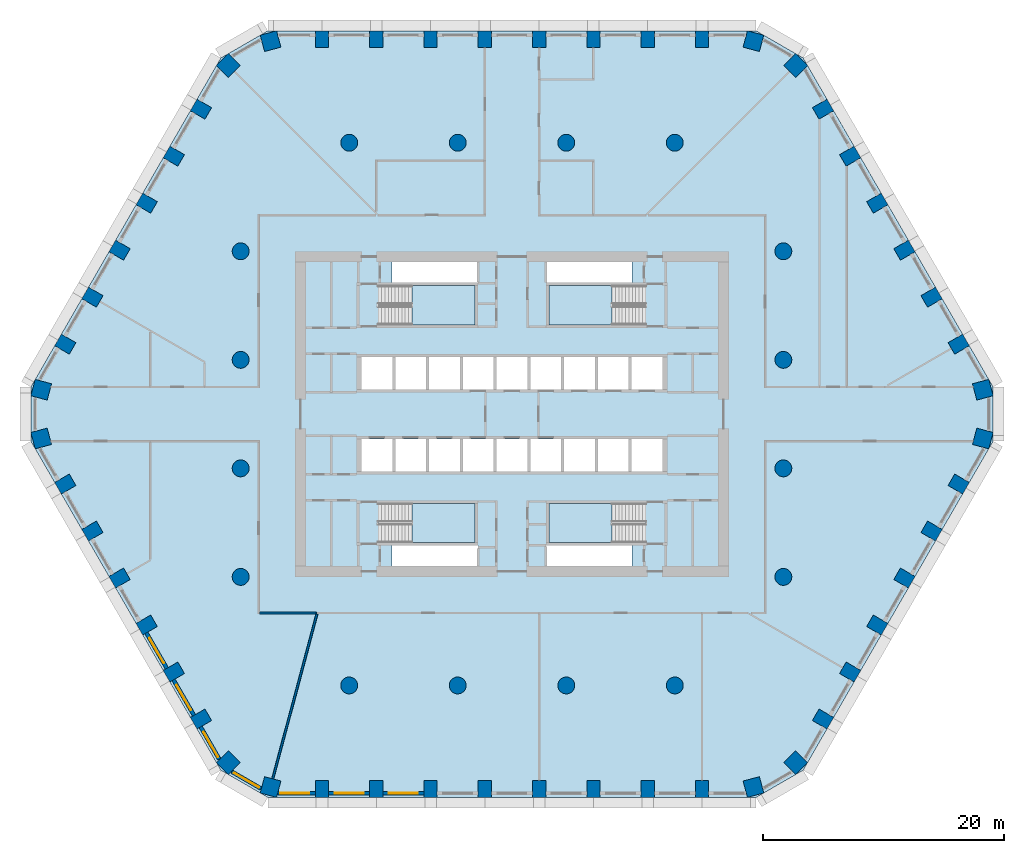
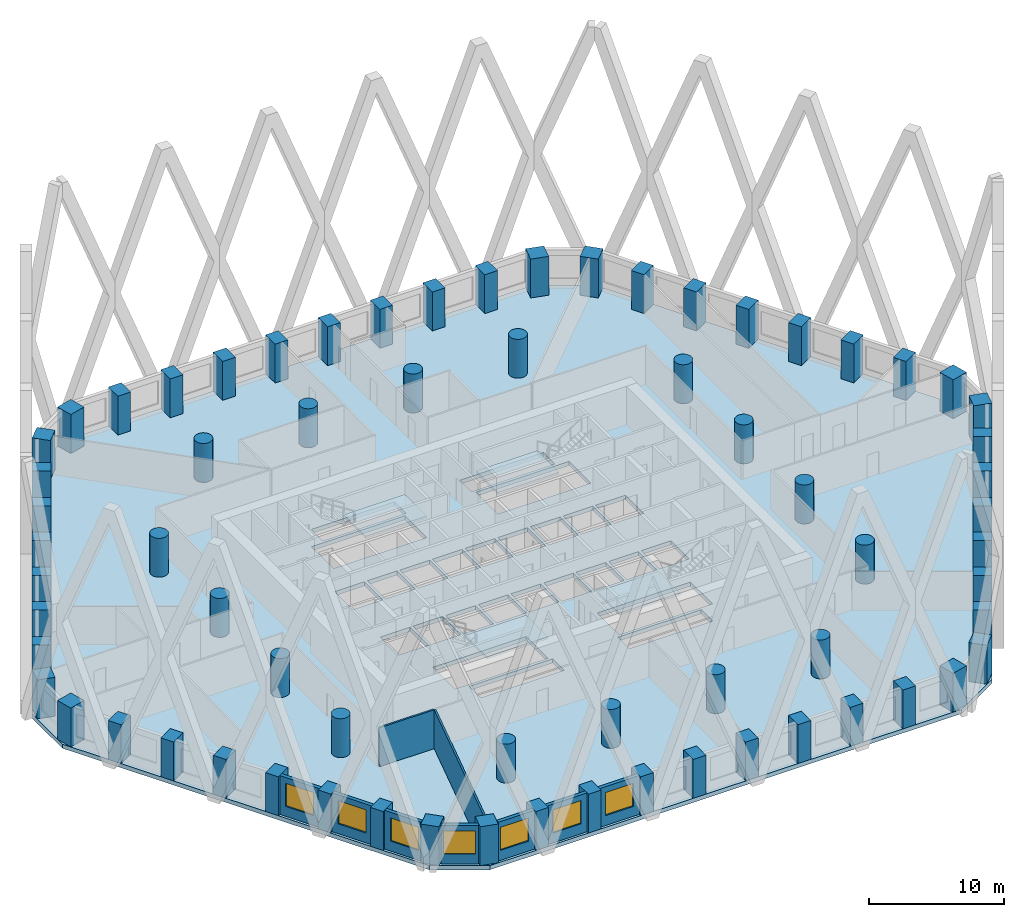
# One storey, part 1 of 18: 68 columns, 9 walls, 7 windows, 5 slabs, 7 openings, 4 elements without a shape of their own.
"""IFC4 building model written with IfcOpenShell, lengths in metres."""

from ifc_helpers import new_model, si_unit, direction, frame, frame_2d, origin, origin_2d, place, context, subcontext, project, spatial, polyline, rectangle, circle, outline, extrude, material, layer, layer_set, material_profile, profile_set, type_object, element, fill, aggregate, save


model = new_model("IFC4")

# Units and contexts
model_context = context("Model", 3, precision=1e-05, world=origin(), true_north=direction((0.0, 1.0)))
body_context = subcontext(model_context, "Body", "Model", "MODEL_VIEW")
ifc_project = project(units=[si_unit("LENGTHUNIT", "METRE"), si_unit("AREAUNIT", "SQUARE_METRE"), si_unit("VOLUMEUNIT", "CUBIC_METRE"), si_unit("PLANEANGLEUNIT", "RADIAN"), si_unit("MASSUNIT", "GRAM", prefix="KILO")], contexts=[model_context])

# Site, building, storey
site_placement = place(None, origin())
site = spatial("IfcSite", under=ifc_project, at=site_placement, CompositionType="ELEMENT")
building_placement = place(site_placement, origin())
building = spatial("IfcBuilding", under=site, at=building_placement, Name="Dhurran Vertical Campus", CompositionType="ELEMENT")
storey_placement = place(building_placement, frame((0.0, 0.0, 53.39990234375)))
storey = spatial("IfcBuildingStorey", under=building, at=storey_placement, Name="L12", CompositionType="ELEMENT", Elevation=53.39990234375)

# Columns
ifc_material_1 = material(Name="Concrete C70/85", Category="concrete")
ifc_material_profile_1 = material_profile(ifc_material_1, rectangle(XDim=1.10009765625, YDim=1.39990234375, at=origin_2d()), Name="RC 1100x1400")
ifc_profile_set_1 = profile_set([ifc_material_profile_1], Name="Concrete C70/85")
column_type_1 = type_object("IfcColumnType", Name="FR COL RC 1100x1400 C70/85", PredefinedType="COLUMN", material=ifc_profile_set_1)
for number, where, z_axis, x_axis, name in (
    (1, (-15.75, -31.079833984375, 0.0), (0.0, 0.0, 1.0), (1.0, 0.0, 0.0), "Perimeter pier PP1.01"),
    (2, (-11.25, -31.079833984375, 0.0), (0.0, 0.0, 1.0), (1.0, 0.0, 0.0), "Perimeter pier PP1.02"),
    (3, (-6.75, -31.079833984375, 0.0), (0.0, 0.0, 1.0), (1.0, 0.0, 0.0), "Perimeter pier PP1.03"),
    (4, (-2.25, -31.079833984375, 0.0), (0.0, 0.0, 1.0), (1.0, 0.0, 0.0), "Perimeter pier PP1.04"),
    (5, (2.25, -31.079833984375, 0.0), (0.0, 0.0, 1.0), (1.0, 0.0, 0.0), "Perimeter pier PP1.05"),
    (6, (6.75, -31.079833984375, 0.0), (0.0, 0.0, 1.0), (1.0, 0.0, 0.0), "Perimeter pier PP1.06"),
    (7, (11.25, -31.079833984375, 0.0), (0.0, 0.0, 1.0), (1.0, 0.0, 0.0), "Perimeter pier PP1.07"),
    (8, (15.75, -31.079833984375, 0.0), (0.0, 0.0, 1.0), (1.0, 0.0, 0.0), "Perimeter pier PP1.08"),
    (9, (25.791015625, -25.28271484375, 0.0), (0.0, 0.0, 1.0), (0.5, 0.866025403784, 0.0), "Perimeter pier PP1.11"),
    (10, (28.041015625, -21.385498046875, 0.0), (0.0, 0.0, 1.0), (0.5, 0.866025403784, 0.0), "Perimeter pier PP1.12"),
    (11, (30.291015625, -17.488525390625, 0.0), (0.0, 0.0, 1.0), (0.5, 0.866025403784, 0.0), "Perimeter pier PP1.13"),
    (12, (32.541015625, -13.59130859375, 0.0), (0.0, 0.0, 1.0), (0.5, 0.866025403784, 0.0), "Perimeter pier PP1.14"),
    (13, (34.791015625, -9.694091796875, 0.0), (0.0, 0.0, 1.0), (0.5, 0.866025403784, 0.0), "Perimeter pier PP1.15"),
    (14, (37.041015625, -5.797119140625, 0.0), (0.0, 0.0, 1.0), (0.5, 0.866025403784, 0.0), "Perimeter pier PP1.16"),
    (15, (37.041015625, 5.797119140625, 0.0), (0.0, 0.0, 1.0), (-0.5, 0.866025403784, 0.0), "Perimeter pier PP1.19"),
    (16, (34.791015625, 9.694091796875, 0.0), (0.0, 0.0, 1.0), (-0.5, 0.866025403784, 0.0), "Perimeter pier PP1.20"),
    (17, (32.541015625, 13.59130859375, 0.0), (0.0, 0.0, 1.0), (-0.5, 0.866025403784, 0.0), "Perimeter pier PP1.21"),
    (18, (30.291015625, 17.488525390625, 0.0), (0.0, 0.0, 1.0), (-0.5, 0.866025403784, 0.0), "Perimeter pier PP1.22"),
    (19, (28.041015625, 21.385498046875, 0.0), (0.0, 0.0, 1.0), (-0.5, 0.866025403784, 0.0), "Perimeter pier PP1.23"),
    (20, (25.791015625, 25.28271484375, 0.0), (0.0, 0.0, 1.0), (-0.5, 0.866025403784, 0.0), "Perimeter pier PP1.24"),
    (21, (15.75, 31.079833984375, 0.0), (0.0, 0.0, 1.0), (-1.0, 0.0, 0.0), "Perimeter pier PP1.27"),
    (22, (11.25, 31.079833984375, 0.0), (0.0, 0.0, 1.0), (-1.0, 0.0, 0.0), "Perimeter pier PP1.28"),
    (23, (6.75, 31.079833984375, 0.0), (0.0, 0.0, 1.0), (-1.0, 0.0, 0.0), "Perimeter pier PP1.29"),
    (24, (2.25, 31.079833984375, 0.0), (0.0, 0.0, 1.0), (-1.0, 0.0, 0.0), "Perimeter pier PP1.30"),
    (25, (-2.25, 31.079833984375, 0.0), (0.0, 0.0, 1.0), (-1.0, 0.0, 0.0), "Perimeter pier PP1.31"),
    (26, (-6.75, 31.079833984375, 0.0), (0.0, 0.0, 1.0), (-1.0, 0.0, 0.0), "Perimeter pier PP1.32"),
    (27, (-11.25, 31.079833984375, 0.0), (0.0, 0.0, 1.0), (-1.0, 0.0, 0.0), "Perimeter pier PP1.33"),
    (28, (-15.75, 31.079833984375, 0.0), (0.0, 0.0, 1.0), (-1.0, 0.0, 0.0), "Perimeter pier PP1.34"),
    (29, (-25.791015625, 25.28271484375, 0.0), (0.0, 0.0, 1.0), (-0.5, -0.866025403784, 0.0), "Perimeter pier PP1.37"),
    (30, (-28.041015625, 21.385498046875, 0.0), (0.0, 0.0, 1.0), (-0.5, -0.866025403784, 0.0), "Perimeter pier PP1.38"),
    (31, (-30.291015625, 17.488525390625, 0.0), (0.0, 0.0, 1.0), (-0.5, -0.866025403784, 0.0), "Perimeter pier PP1.39"),
    (32, (-32.541015625, 13.59130859375, 0.0), (0.0, 0.0, 1.0), (-0.5, -0.866025403784, 0.0), "Perimeter pier PP1.40"),
    (33, (-34.791015625, 9.694091796875, 0.0), (0.0, 0.0, 1.0), (-0.5, -0.866025403784, 0.0), "Perimeter pier PP1.41"),
    (34, (-37.041015625, 5.797119140625, 0.0), (0.0, 0.0, 1.0), (-0.5, -0.866025403784, 0.0), "Perimeter pier PP1.42"),
    (35, (-37.041015625, -5.797119140625, 0.0), (0.0, 0.0, 1.0), (0.5, -0.866025403784, 0.0), "Perimeter pier PP1.45"),
    (36, (-34.791015625, -9.694091796875, 0.0), (0.0, 0.0, 1.0), (0.5, -0.866025403784, 0.0), "Perimeter pier PP1.46"),
    (37, (-32.541015625, -13.59130859375, 0.0), (0.0, 0.0, 1.0), (0.5, -0.866025403784, 0.0), "Perimeter pier PP1.47"),
    (38, (-30.291015625, -17.488525390625, 0.0), (0.0, 0.0, 1.0), (0.5, -0.866025403784, 0.0), "Perimeter pier PP1.48"),
    (39, (-28.041015625, -21.385498046875, 0.0), (0.0, 0.0, 1.0), (0.5, -0.866025403784, 0.0), "Perimeter pier PP1.49"),
    (40, (-25.791015625, -25.28271484375, 0.0), (0.0, 0.0, 1.0), (0.5, -0.866025403784, 0.0), "Perimeter pier PP1.50"),
):
    element("IfcColumn", number, at=place(storey_placement, frame(where, z_axis=z_axis, x_axis=x_axis)), inside=storey, type_object=column_type_1, Name=name, PredefinedType="COLUMN", context=body_context, shape_type="SweptSolid", body=[
        extrude(rectangle(XDim=1.10009765625, YDim=1.39990234375, at=origin_2d()), origin(), (0.0, 0.0, 1.0), 3.525146484375),
    ])
ifc_material_2 = material(Name="Concrete C70/85", Category="concrete")
ifc_material_profile_2 = material_profile(ifc_material_2, rectangle(XDim=1.39990234375, YDim=1.39990234375, at=origin_2d()), Name="RC 1400x1400")
ifc_profile_set_2 = profile_set([ifc_material_profile_2], Name="Concrete C70/85")
column_type_2 = type_object("IfcColumnType", Name="FR COL RC 1400x1400 C70/85", PredefinedType="COLUMN", material=ifc_profile_set_2)
for number, where, z_axis, x_axis, name in (
    (41, (-20.020263671875, -30.922607421875, 0.0), (0.0, 0.0, 1.0), (0.965925826289, -0.258819045103, 0.0), "Perimeter pier PP1.00"),
    (42, (20.020263671875, -30.922607421875, 0.0), (0.0, 0.0, 1.0), (0.965925826289, 0.258819045103, 0.0), "Perimeter pier PP1.09"),
    (43, (23.51953125, -28.902099609375, 0.0), (0.0, 0.0, 1.0), (0.707106781187, 0.707106781187, 0.0), "Perimeter pier PP1.10"),
    (44, (39.039794921875, -2.020263671875, 0.0), (0.0, 0.0, 1.0), (0.258819045103, 0.965925826289, 0.0), "Perimeter pier PP1.17"),
    (45, (39.039794921875, 2.020263671875, 0.0), (0.0, 0.0, 1.0), (-0.258819045103, 0.965925826289, 0.0), "Perimeter pier PP1.18"),
    (46, (23.51953125, 28.902099609375, 0.0), (0.0, 0.0, 1.0), (-0.707106781187, 0.707106781187, 0.0), "Perimeter pier PP1.25"),
    (47, (20.020263671875, 30.922607421875, 0.0), (0.0, 0.0, 1.0), (-0.965925826289, 0.258819045103, 0.0), "Perimeter pier PP1.26"),
    (48, (-20.020263671875, 30.922607421875, 0.0), (0.0, 0.0, 1.0), (-0.965925826289, -0.258819045103, 0.0), "Perimeter pier PP1.35"),
    (49, (-23.51953125, 28.902099609375, 0.0), (0.0, 0.0, 1.0), (-0.707106781187, -0.707106781187, 0.0), "Perimeter pier PP1.36"),
    (50, (-39.039794921875, 2.020263671875, 0.0), (0.0, 0.0, 1.0), (-0.258819045103, -0.965925826289, 0.0), "Perimeter pier PP1.43"),
    (51, (-39.039794921875, -2.020263671875, 0.0), (0.0, 0.0, 1.0), (0.258819045103, -0.965925826289, 0.0), "Perimeter pier PP1.44"),
    (52, (-23.51953125, -28.902099609375, 0.0), (0.0, 0.0, 1.0), (0.707106781187, -0.707106781187, 0.0), "Perimeter pier PP1.51"),
):
    element("IfcColumn", number, at=place(storey_placement, frame(where, z_axis=z_axis, x_axis=x_axis)), inside=storey, type_object=column_type_2, Name=name, PredefinedType="COLUMN", context=body_context, shape_type="SweptSolid", body=[
        extrude(rectangle(XDim=1.39990234375, YDim=1.39990234375, at=origin_2d()), origin(), (0.0, 0.0, 1.0), 3.525146484375),
    ])
ifc_material_3 = material(Name="Concrete C70/85", Category="concrete")
ifc_material_profile_3 = material_profile(ifc_material_3, circle(Radius=0.699951171875, at=origin_2d()), Name="RCC D1400")
ifc_profile_set_3 = profile_set([ifc_material_profile_3], Name="Concrete C70/85")
column_type_3 = type_object("IfcColumnType", Name="FR COL RCC D1400 C70/85", PredefinedType="COLUMN", material=ifc_profile_set_3)
for number, where, z_axis, x_axis, name in (
    (53, (-22.5, -13.5, 0.0), (0.0, 0.0, 1.0), (1.0, 0.0, 0.0), "Inner column IC1-D4"),
    (54, (-22.5, -4.5, 0.0), (0.0, 0.0, 1.0), (1.0, 0.0, 0.0), "Inner column IC1-D5"),
    (55, (-22.5, 4.5, 0.0), (0.0, 0.0, 1.0), (1.0, 0.0, 0.0), "Inner column IC1-D6"),
    (56, (-22.5, 13.5, 0.0), (0.0, 0.0, 1.0), (1.0, 0.0, 0.0), "Inner column IC1-D7"),
    (57, (-13.5, -22.5, 0.0), (0.0, 0.0, 1.0), (1.0, 0.0, 0.0), "Inner column IC1-E3"),
    (58, (-13.5, 22.5, 0.0), (0.0, 0.0, 1.0), (1.0, 0.0, 0.0), "Inner column IC1-E8"),
    (59, (-4.5, -22.5, 0.0), (0.0, 0.0, 1.0), (1.0, 0.0, 0.0), "Inner column IC1-F3"),
    (60, (-4.5, 22.5, 0.0), (0.0, 0.0, 1.0), (1.0, 0.0, 0.0), "Inner column IC1-F8"),
    (61, (4.5, -22.5, 0.0), (0.0, 0.0, 1.0), (1.0, 0.0, 0.0), "Inner column IC1-G3"),
    (62, (4.5, 22.5, 0.0), (0.0, 0.0, 1.0), (1.0, 0.0, 0.0), "Inner column IC1-G8"),
    (63, (13.5, -22.5, 0.0), (0.0, 0.0, 1.0), (1.0, 0.0, 0.0), "Inner column IC1-H3"),
    (64, (13.5, 22.5, 0.0), (0.0, 0.0, 1.0), (1.0, 0.0, 0.0), "Inner column IC1-H8"),
    (65, (22.5, -13.5, 0.0), (0.0, 0.0, 1.0), (1.0, 0.0, 0.0), "Inner column IC1-J4"),
    (66, (22.5, -4.5, 0.0), (0.0, 0.0, 1.0), (1.0, 0.0, 0.0), "Inner column IC1-J5"),
    (67, (22.5, 4.5, 0.0), (0.0, 0.0, 1.0), (1.0, 0.0, 0.0), "Inner column IC1-J6"),
    (68, (22.5, 13.5, 0.0), (0.0, 0.0, 1.0), (1.0, 0.0, 0.0), "Inner column IC1-J7"),
):
    element("IfcColumn", number, at=place(storey_placement, frame(where, z_axis=z_axis, x_axis=x_axis)), inside=storey, type_object=column_type_3, Name=name, PredefinedType="COLUMN", context=body_context, shape_type="SweptSolid", body=[
        extrude(circle(Radius=0.699951171875, at=origin_2d()), origin(), (0.0, 0.0, 1.0), 3.525146484375),
    ])

# Slab
ifc_material_4 = material(Name="Concrete C40/50", Category="concrete")
ifc_layer_1 = layer(ifc_material_4, 0.375)
ifc_layer_set_1 = layer_set([ifc_layer_1], Name="Concrete C40/50")
slab_type_1 = type_object("IfcSlabType", Name="FR POST-TENSIONED FLAT SLAB 375", PredefinedType="FLOOR", material=ifc_layer_set_1)
slab_1_placement = place(storey_placement, frame((0.0, 0.0, -0.375)))
element("IfcSlab", 69, at=slab_1_placement, inside=storey, type_object=slab_type_1, Name="Floor slab L12", PredefinedType="FLOOR", context=body_context, shape_type="SweptSolid", body=[
    extrude(outline(polyline([(-20.25, -31.77978515625), (20.25, -31.77978515625), (24.147216796875, -29.52978515625), (39.897216796875, -2.25), (39.897216796875, 2.25), (24.147216796875, 29.52978515625), (20.25, 31.77978515625), (-20.25, 31.77978515625), (-24.147216796875, 29.52978515625), (-39.897216796875, 2.25), (-39.897216796875, -2.25), (-24.147216796875, -29.52978515625), (-20.25, -31.77978515625)]), holes=[polyline([(-12.47509765625, 2.050048828125), (-9.925048828125, 2.050048828125), (-9.925048828125, 4.75), (-12.47509765625, 4.75), (-12.47509765625, 2.050048828125)]), polyline([(-9.675048828125, 2.050048828125), (-7.125, 2.050048828125), (-7.125, 4.75), (-9.675048828125, 4.75), (-9.675048828125, 2.050048828125)]), polyline([(-6.875, 2.050048828125), (-4.324951171875, 2.050048828125), (-4.324951171875, 4.75), (-6.875, 4.75), (-6.875, 2.050048828125)]), polyline([(-1.27490234375, 2.050048828125), (1.27490234375, 2.050048828125), (1.27490234375, 4.75), (-1.27490234375, 4.75), (-1.27490234375, 2.050048828125)]), polyline([(9.925048828125, 2.050048828125), (12.47509765625, 2.050048828125), (12.47509765625, 4.75), (9.925048828125, 4.75), (9.925048828125, 2.050048828125)]), polyline([(-1.27490234375, -4.75), (1.27490234375, -4.75), (1.27490234375, -2.050048828125), (-1.27490234375, -2.050048828125), (-1.27490234375, -4.75)]), polyline([(1.52490234375, -4.75), (4.074951171875, -4.75), (4.074951171875, -2.050048828125), (1.52490234375, -2.050048828125), (1.52490234375, -4.75)]), polyline([(4.324951171875, -4.75), (6.875, -4.75), (6.875, -2.050048828125), (4.324951171875, -2.050048828125), (4.324951171875, -4.75)]), polyline([(7.125, -4.75), (9.675048828125, -4.75), (9.675048828125, -2.050048828125), (7.125, -2.050048828125), (7.125, -4.75)]), polyline([(9.925048828125, -4.75), (12.47509765625, -4.75), (12.47509765625, -2.050048828125), (9.925048828125, -2.050048828125), (9.925048828125, -4.75)]), polyline([(-4.074951171875, 2.050048828125), (-1.52490234375, 2.050048828125), (-1.52490234375, 4.75), (-4.074951171875, 4.75), (-4.074951171875, 2.050048828125)]), polyline([(1.52490234375, 2.050048828125), (4.074951171875, 2.050048828125), (4.074951171875, 4.75), (1.52490234375, 4.75), (1.52490234375, 2.050048828125)]), polyline([(4.324951171875, 2.050048828125), (6.875, 2.050048828125), (6.875, 4.75), (4.324951171875, 4.75), (4.324951171875, 2.050048828125)]), polyline([(7.125, 2.050048828125), (9.675048828125, 2.050048828125), (9.675048828125, 4.75), (7.125, 4.75), (7.125, 2.050048828125)]), polyline([(-12.47509765625, -4.75), (-9.925048828125, -4.75), (-9.925048828125, -2.050048828125), (-12.47509765625, -2.050048828125), (-12.47509765625, -4.75)]), polyline([(-9.675048828125, -4.75), (-7.125, -4.75), (-7.125, -2.050048828125), (-9.675048828125, -2.050048828125), (-9.675048828125, -4.75)]), polyline([(-6.875, -4.75), (-4.324951171875, -4.75), (-4.324951171875, -2.050048828125), (-6.875, -2.050048828125), (-6.875, -4.75)]), polyline([(-4.074951171875, -4.75), (-1.52490234375, -4.75), (-1.52490234375, -2.050048828125), (-4.074951171875, -2.050048828125), (-4.074951171875, -4.75)]), polyline([(-11.050048828125, 7.39990234375), (-3.050048828125, 7.39990234375), (-3.050048828125, 10.64990234375), (-11.050048828125, 10.64990234375), (-11.050048828125, 7.39990234375)]), polyline([(3.050048828125, 7.39990234375), (11.050048828125, 7.39990234375), (11.050048828125, 10.64990234375), (3.050048828125, 10.64990234375), (3.050048828125, 7.39990234375)]), polyline([(-11.050048828125, -10.64990234375), (-3.050048828125, -10.64990234375), (-3.050048828125, -7.39990234375), (-11.050048828125, -7.39990234375), (-11.050048828125, -10.64990234375)]), polyline([(3.050048828125, -10.64990234375), (11.050048828125, -10.64990234375), (11.050048828125, -7.39990234375), (3.050048828125, -7.39990234375), (3.050048828125, -10.64990234375)]), polyline([(-9.949951171875, 10.89990234375), (-9.949951171875, 12.60009765625), (-2.800048828125, 12.60009765625), (-2.800048828125, 10.89990234375), (-9.949951171875, 10.89990234375)]), polyline([(9.949951171875, 12.60009765625), (9.949951171875, 10.89990234375), (2.800048828125, 10.89990234375), (2.800048828125, 12.60009765625), (9.949951171875, 12.60009765625)]), polyline([(-9.949951171875, -12.60009765625), (-9.949951171875, -10.89990234375), (-2.800048828125, -10.89990234375), (-2.800048828125, -12.60009765625), (-9.949951171875, -12.60009765625)]), polyline([(9.949951171875, -10.89990234375), (9.949951171875, -12.60009765625), (2.800048828125, -12.60009765625), (2.800048828125, -10.89990234375), (9.949951171875, -10.89990234375)])]), origin(), (0.0, 0.0, 1.0), 0.375),
])

# Stair, slab
ifc_material_5 = material(Name="Concrete C40/50", Category="concrete")
stair_type = type_object("IfcStairType", Name="co-ST-CORE", PredefinedType="HALF_TURN_STAIR", material=ifc_material_5)
stair_1_placement = place(storey_placement, origin())
stair_1 = element("IfcStair", 70, at=stair_1_placement, inside=storey, type_object=stair_type, Name="L12 Protected exit stair ST1", PredefinedType="HALF_TURN_STAIR")
ifc_material_6 = material(Name="Concrete C40/50", Category="concrete")
ifc_layer_2 = layer(ifc_material_6, 0.199951171875)
ifc_layer_set_2 = layer_set([ifc_layer_2], Name="Concrete C40/50")
slab_type_2 = type_object("IfcSlabType", Name="co-SL-LANDING", PredefinedType="LANDING", material=ifc_layer_set_2)
slab_2_placement = place(storey_placement, frame((0.0, 0.0, 1.75)))
slab_2 = element("IfcSlab", 71, at=slab_2_placement, type_object=slab_type_2, Name="ST1 landing 1", PredefinedType="LANDING", context=body_context, shape_type="SweptSolid", body=[
    extrude(outline(polyline([(-8.300048828125, 7.39990234375), (-3.050048828125, 7.39990234375), (-3.050048828125, 10.64990234375), (-8.300048828125, 10.64990234375), (-8.300048828125, 7.39990234375)])), origin(), (0.0, 0.0, 1.0), 0.2001953125),
])
aggregate(stair_1, [slab_2])

stair_2_placement = place(storey_placement, origin())
stair_2 = element("IfcStair", 72, at=stair_2_placement, inside=storey, type_object=stair_type, Name="L12 Protected exit stair ST2", PredefinedType="HALF_TURN_STAIR")
slab_3_placement = place(storey_placement, frame((0.0, 0.0, 1.75)))
slab_3 = element("IfcSlab", 73, at=slab_3_placement, type_object=slab_type_2, Name="ST2 landing 1", PredefinedType="LANDING", context=body_context, shape_type="SweptSolid", body=[
    extrude(outline(polyline([(8.300048828125, 10.64990234375), (3.050048828125, 10.64990234375), (3.050048828125, 7.39990234375), (8.300048828125, 7.39990234375), (8.300048828125, 10.64990234375)])), origin(), (0.0, 0.0, 1.0), 0.2001953125),
])
aggregate(stair_2, [slab_3])

stair_3_placement = place(storey_placement, origin())
stair_3 = element("IfcStair", 74, at=stair_3_placement, inside=storey, type_object=stair_type, Name="L12 Protected exit stair ST3", PredefinedType="HALF_TURN_STAIR")
slab_4_placement = place(storey_placement, frame((0.0, 0.0, 1.75)))
slab_4 = element("IfcSlab", 75, at=slab_4_placement, type_object=slab_type_2, Name="ST3 landing 1", PredefinedType="LANDING", context=body_context, shape_type="SweptSolid", body=[
    extrude(outline(polyline([(-8.300048828125, -10.64990234375), (-3.050048828125, -10.64990234375), (-3.050048828125, -7.39990234375), (-8.300048828125, -7.39990234375), (-8.300048828125, -10.64990234375)])), origin(), (0.0, 0.0, 1.0), 0.2001953125),
])
aggregate(stair_3, [slab_4])

stair_4_placement = place(storey_placement, origin())
stair_4 = element("IfcStair", 76, at=stair_4_placement, inside=storey, type_object=stair_type, Name="L12 Protected exit stair ST4", PredefinedType="HALF_TURN_STAIR")
slab_5_placement = place(storey_placement, frame((0.0, 0.0, 1.75)))
slab_5 = element("IfcSlab", 77, at=slab_5_placement, type_object=slab_type_2, Name="ST4 landing 1", PredefinedType="LANDING", context=body_context, shape_type="SweptSolid", body=[
    extrude(outline(polyline([(8.300048828125, -7.39990234375), (3.050048828125, -7.39990234375), (3.050048828125, -10.64990234375), (8.300048828125, -10.64990234375), (8.300048828125, -7.39990234375)])), origin(), (0.0, 0.0, 1.0), 0.2001953125),
])
aggregate(stair_4, [slab_5])

# Wall, opening, window
ifc_material_7 = material(Name="Precast concrete C50/60", Category="concrete")
ifc_layer_3 = layer(ifc_material_7, 0.300048828125)
ifc_layer_set_3 = layer_set([ifc_layer_3], Name="Precast concrete C50/60")
wall_type_1 = type_object("IfcWallType", Name="Precast spandrel wall 300", PredefinedType="SOLIDWALL", material=ifc_layer_set_3)
wall_1_placement = place(storey_placement, frame((-19.39111328125, -31.4296875, 0.0), z_axis=(0.0, 0.0, 1.0), x_axis=(1.0, 0.0, 0.0)))
wall_1 = element("IfcWall", 78, at=wall_1_placement, inside=storey, type_object=wall_type_1, Name="EW1 L12.00", PredefinedType="SOLIDWALL", context=body_context, shape_type="SweptSolid", body=[
    extrude(rectangle(XDim=3.090576171875, YDim=0.300048828125, at=frame_2d((1.54541015625, 0.0))), origin(), (0.0, 0.0, 1.0), 3.525146484375),
])
opening_1_placement = place(wall_1_placement, frame((0.191162109375, 0.0, 0.89990234375)))
opening_1 = element("IfcOpeningElement", 79, at=opening_1_placement, cuts=wall_1, Name="Opening WT1", PredefinedType="OPENING", context=body_context, shape_type="SweptSolid", body=[
    extrude(rectangle(XDim=2.39990234375, YDim=2.10009765625, at=frame_2d((1.199951171875, 1.050048828125))), frame((0.0, 0.159912109375, 0.0), z_axis=(0.0, -1.0, 0.0), x_axis=(1.0, 0.0, 0.0)), (0.0, 0.0, 1.0), 0.320068359375),
])
ifc_material_8 = material(Name="Aluminium frame with solar-control glass", Category="aluminium")
window_type = type_object("IfcWindowType", Name="Punched window 2400 x 2100", PartitioningType="SINGLE_PANEL", PredefinedType="WINDOW", material=ifc_material_8)
window_1_placement = place(opening_1_placement, origin())
window_1 = element("IfcWindow", 80, at=window_1_placement, inside=storey, type_object=window_type, Name="WT1 L12.00", OverallHeight=2.10009765625, OverallWidth=2.39990234375, PartitioningType="SINGLE_PANEL", PredefinedType="WINDOW", context=body_context, shape_type="SweptSolid", body=[
    extrude(rectangle(XDim=2.39990234375, YDim=2.10009765625, at=frame_2d((1.199951171875, 1.050048828125))), frame((0.0, 0.030029296875, 0.0), z_axis=(0.0, -1.0, 0.0), x_axis=(1.0, 0.0, 0.0)), (0.0, 0.0, 1.0), 0.06005859375),
])
fill(opening_1, window_1)

wall_2_placement = place(storey_placement, frame((-15.199462890625, -31.4296875, 0.0), z_axis=(0.0, 0.0, 1.0), x_axis=(1.0, 0.0, 0.0)))
wall_2 = element("IfcWall", 81, at=wall_2_placement, inside=storey, type_object=wall_type_1, Name="EW1 L12.01", PredefinedType="SOLIDWALL", context=body_context, shape_type="SweptSolid", body=[
    extrude(rectangle(XDim=3.39892578125, YDim=0.300048828125, at=frame_2d((1.699462890625, 0.0))), origin(), (0.0, 0.0, 1.0), 3.525146484375),
])
opening_2_placement = place(wall_2_placement, frame((0.49951171875, 0.0, 0.89990234375)))
opening_2 = element("IfcOpeningElement", 82, at=opening_2_placement, cuts=wall_2, Name="Opening WT1", PredefinedType="OPENING", context=body_context, shape_type="SweptSolid", body=[
    extrude(rectangle(XDim=2.39990234375, YDim=2.10009765625, at=frame_2d((1.199951171875, 1.050048828125))), frame((0.0, 0.159912109375, 0.0), z_axis=(0.0, -1.0, 0.0), x_axis=(1.0, 0.0, 0.0)), (0.0, 0.0, 1.0), 0.320068359375),
])
window_2_placement = place(opening_2_placement, origin())
window_2 = element("IfcWindow", 83, at=window_2_placement, inside=storey, type_object=window_type, Name="WT1 L12.01", OverallHeight=2.10009765625, OverallWidth=2.39990234375, PartitioningType="SINGLE_PANEL", PredefinedType="WINDOW", context=body_context, shape_type="SweptSolid", body=[
    extrude(rectangle(XDim=2.39990234375, YDim=2.10009765625, at=frame_2d((1.199951171875, 1.050048828125))), frame((0.0, 0.030029296875, 0.0), z_axis=(0.0, -1.0, 0.0), x_axis=(1.0, 0.0, 0.0)), (0.0, 0.0, 1.0), 0.06005859375),
])
fill(opening_2, window_2)

wall_3_placement = place(storey_placement, frame((-10.699462890625, -31.4296875, 0.0), z_axis=(0.0, 0.0, 1.0), x_axis=(1.0, 0.0, 0.0)))
wall_3 = element("IfcWall", 84, at=wall_3_placement, inside=storey, type_object=wall_type_1, Name="EW1 L12.02", PredefinedType="SOLIDWALL", context=body_context, shape_type="SweptSolid", body=[
    extrude(rectangle(XDim=3.39892578125, YDim=0.300048828125, at=frame_2d((1.699462890625, 0.0))), origin(), (0.0, 0.0, 1.0), 3.525146484375),
])
opening_3_placement = place(wall_3_placement, frame((0.49951171875, 0.0, 0.89990234375)))
opening_3 = element("IfcOpeningElement", 85, at=opening_3_placement, cuts=wall_3, Name="Opening WT1", PredefinedType="OPENING", context=body_context, shape_type="SweptSolid", body=[
    extrude(rectangle(XDim=2.39990234375, YDim=2.10009765625, at=frame_2d((1.199951171875, 1.050048828125))), frame((0.0, 0.159912109375, 0.0), z_axis=(0.0, -1.0, 0.0), x_axis=(1.0, 0.0, 0.0)), (0.0, 0.0, 1.0), 0.320068359375),
])
window_3_placement = place(opening_3_placement, origin())
window_3 = element("IfcWindow", 86, at=window_3_placement, inside=storey, type_object=window_type, Name="WT1 L12.02", OverallHeight=2.10009765625, OverallWidth=2.39990234375, PartitioningType="SINGLE_PANEL", PredefinedType="WINDOW", context=body_context, shape_type="SweptSolid", body=[
    extrude(rectangle(XDim=2.39990234375, YDim=2.10009765625, at=frame_2d((1.199951171875, 1.050048828125))), frame((0.0, 0.030029296875, 0.0), z_axis=(0.0, -1.0, 0.0), x_axis=(1.0, 0.0, 0.0)), (0.0, 0.0, 1.0), 0.06005859375),
])
fill(opening_3, window_3)

wall_4_placement = place(storey_placement, frame((-30.31884765625, -18.14013671875, 0.0), z_axis=(0.0, 0.0, 1.0), x_axis=(0.499993955907, -0.866028893315, 0.0)))
wall_4 = element("IfcWall", 87, at=wall_4_placement, inside=storey, type_object=wall_type_1, Name="EW1 L12.48", PredefinedType="SOLIDWALL", context=body_context, shape_type="SweptSolid", body=[
    extrude(rectangle(XDim=3.39892578125, YDim=0.300048828125, at=frame_2d((1.699462890625, 0.0))), origin(), (0.0, 0.0, 1.0), 3.525146484375),
])
opening_4_placement = place(wall_4_placement, frame((0.49951171875, 0.0, 0.89990234375)))
opening_4 = element("IfcOpeningElement", 88, at=opening_4_placement, cuts=wall_4, Name="Opening WT1", PredefinedType="OPENING", context=body_context, shape_type="SweptSolid", body=[
    extrude(rectangle(XDim=2.39990234375, YDim=2.10009765625, at=frame_2d((1.199951171875, 1.050048828125))), frame((0.0, 0.159912109375, 0.0), z_axis=(0.0, -1.0, 0.0), x_axis=(1.0, 0.0, 0.0)), (0.0, 0.0, 1.0), 0.320068359375),
])
window_4_placement = place(opening_4_placement, origin())
window_4 = element("IfcWindow", 89, at=window_4_placement, inside=storey, type_object=window_type, Name="WT1 L12.48", OverallHeight=2.10009765625, OverallWidth=2.39990234375, PartitioningType="SINGLE_PANEL", PredefinedType="WINDOW", context=body_context, shape_type="SweptSolid", body=[
    extrude(rectangle(XDim=2.39990234375, YDim=2.10009765625, at=frame_2d((1.199951171875, 1.050048828125))), frame((0.0, 0.030029296875, 0.0), z_axis=(0.0, -1.0, 0.0), x_axis=(1.0, 0.0, 0.0)), (0.0, 0.0, 1.0), 0.06005859375),
])
fill(opening_4, window_4)

wall_5_placement = place(storey_placement, frame((-28.06884765625, -22.037353515625, 0.0), z_axis=(0.0, 0.0, 1.0), x_axis=(0.499993955907, -0.866028893315, 0.0)))
wall_5 = element("IfcWall", 90, at=wall_5_placement, inside=storey, type_object=wall_type_1, Name="EW1 L12.49", PredefinedType="SOLIDWALL", context=body_context, shape_type="SweptSolid", body=[
    extrude(rectangle(XDim=3.39892578125, YDim=0.300048828125, at=frame_2d((1.699462890625, 0.0))), origin(), (0.0, 0.0, 1.0), 3.525146484375),
])
opening_5_placement = place(wall_5_placement, frame((0.49951171875, 0.0, 0.89990234375)))
opening_5 = element("IfcOpeningElement", 91, at=opening_5_placement, cuts=wall_5, Name="Opening WT1", PredefinedType="OPENING", context=body_context, shape_type="SweptSolid", body=[
    extrude(rectangle(XDim=2.39990234375, YDim=2.10009765625, at=frame_2d((1.199951171875, 1.050048828125))), frame((0.0, 0.159912109375, 0.0), z_axis=(0.0, -1.0, 0.0), x_axis=(1.0, 0.0, 0.0)), (0.0, 0.0, 1.0), 0.320068359375),
])
window_5_placement = place(opening_5_placement, origin())
window_5 = element("IfcWindow", 92, at=window_5_placement, inside=storey, type_object=window_type, Name="WT1 L12.49", OverallHeight=2.10009765625, OverallWidth=2.39990234375, PartitioningType="SINGLE_PANEL", PredefinedType="WINDOW", context=body_context, shape_type="SweptSolid", body=[
    extrude(rectangle(XDim=2.39990234375, YDim=2.10009765625, at=frame_2d((1.199951171875, 1.050048828125))), frame((0.0, 0.030029296875, 0.0), z_axis=(0.0, -1.0, 0.0), x_axis=(1.0, 0.0, 0.0)), (0.0, 0.0, 1.0), 0.06005859375),
])
fill(opening_5, window_5)

wall_6_placement = place(storey_placement, frame((-25.81884765625, -25.934326171875, 0.0), z_axis=(0.0, 0.0, 1.0), x_axis=(0.499995950774, -0.866027741594, 0.0)))
wall_6 = element("IfcWall", 93, at=wall_6_placement, inside=storey, type_object=wall_type_1, Name="EW1 L12.50", PredefinedType="SOLIDWALL", context=body_context, shape_type="SweptSolid", body=[
    extrude(rectangle(XDim=3.0908203125, YDim=0.300048828125, at=frame_2d((1.54541015625, 0.0))), origin(), (0.0, 0.0, 1.0), 3.525146484375),
])
opening_6_placement = place(wall_6_placement, frame((0.49951171875, 0.0, 0.89990234375)))
opening_6 = element("IfcOpeningElement", 94, at=opening_6_placement, cuts=wall_6, Name="Opening WT1", PredefinedType="OPENING", context=body_context, shape_type="SweptSolid", body=[
    extrude(rectangle(XDim=2.39990234375, YDim=2.10009765625, at=frame_2d((1.199951171875, 1.050048828125))), frame((0.0, 0.159912109375, 0.0), z_axis=(0.0, -1.0, 0.0), x_axis=(1.0, 0.0, 0.0)), (0.0, 0.0, 1.0), 0.320068359375),
])
window_6_placement = place(opening_6_placement, origin())
window_6 = element("IfcWindow", 95, at=window_6_placement, inside=storey, type_object=window_type, Name="WT1 L12.50", OverallHeight=2.10009765625, OverallWidth=2.39990234375, PartitioningType="SINGLE_PANEL", PredefinedType="WINDOW", context=body_context, shape_type="SweptSolid", body=[
    extrude(rectangle(XDim=2.39990234375, YDim=2.10009765625, at=frame_2d((1.199951171875, 1.050048828125))), frame((0.0, 0.030029296875, 0.0), z_axis=(0.0, -1.0, 0.0), x_axis=(1.0, 0.0, 0.0)), (0.0, 0.0, 1.0), 0.06005859375),
])
fill(opening_6, window_6)

wall_7_placement = place(storey_placement, frame((-23.228271484375, -29.656005859375, 0.0), z_axis=(0.0, 0.0, 1.0), x_axis=(0.866020456713, -0.500008568482, 0.0)))
wall_7 = element("IfcWall", 96, at=wall_7_placement, inside=storey, type_object=wall_type_1, Name="EW1 L12.51", PredefinedType="SOLIDWALL", context=body_context, shape_type="SweptSolid", body=[
    extrude(rectangle(XDim=2.7822265625, YDim=0.300048828125, at=frame_2d((1.39111328125, 0.0))), origin(), (0.0, 0.0, 1.0), 3.525146484375),
])
opening_7_placement = place(wall_7_placement, frame((0.191162109375, 0.0, 0.89990234375)))
opening_7 = element("IfcOpeningElement", 97, at=opening_7_placement, cuts=wall_7, Name="Opening WT1", PredefinedType="OPENING", context=body_context, shape_type="SweptSolid", body=[
    extrude(rectangle(XDim=2.39990234375, YDim=2.10009765625, at=frame_2d((1.199951171875, 1.050048828125))), frame((0.0, 0.159912109375, 0.0), z_axis=(0.0, -1.0, 0.0), x_axis=(1.0, 0.0, 0.0)), (0.0, 0.0, 1.0), 0.320068359375),
])
window_7_placement = place(opening_7_placement, origin())
window_7 = element("IfcWindow", 98, at=window_7_placement, inside=storey, type_object=window_type, Name="WT1 L12.51", OverallHeight=2.10009765625, OverallWidth=2.39990234375, PartitioningType="SINGLE_PANEL", PredefinedType="WINDOW", context=body_context, shape_type="SweptSolid", body=[
    extrude(rectangle(XDim=2.39990234375, YDim=2.10009765625, at=frame_2d((1.199951171875, 1.050048828125))), frame((0.0, 0.030029296875, 0.0), z_axis=(0.0, -1.0, 0.0), x_axis=(1.0, 0.0, 0.0)), (0.0, 0.0, 1.0), 0.06005859375),
])
fill(opening_7, window_7)

# Walls
ifc_material_9 = material(Name="Gypsum board corridor wall on steel studs", Category="steel")
ifc_layer_4 = layer(ifc_material_9, 0.14990234375)
ifc_layer_set_4 = layer_set([ifc_layer_4], Name="Gypsum board corridor wall on steel studs")
wall_type_2 = type_object("IfcWallType", Name="fl-CW-150 corridor wall", PredefinedType="PARTITIONING", material=ifc_layer_set_4)
wall_8_placement = place(storey_placement, frame((-20.925048828125, -16.5, 0.0), z_axis=(0.0, 0.0, 1.0), x_axis=(1.0, 0.0, 0.0)))
element("IfcWall", 99, at=wall_8_placement, inside=storey, type_object=wall_type_2, Name="Partition 12-14", PredefinedType="PARTITIONING", context=body_context, shape_type="SweptSolid", body=[
    extrude(rectangle(XDim=4.674072265625, YDim=0.14990234375, at=frame_2d((2.3369140625, 0.0))), origin(), (0.0, 0.0, 1.0), 3.525146484375),
])
ifc_material_10 = material(Name="Gypsum board partition on steel studs", Category="steel")
ifc_layer_5 = layer(ifc_material_10, 0.14990234375)
ifc_layer_set_5 = layer_set([ifc_layer_5], Name="Gypsum board partition on steel studs")
wall_type_3 = type_object("IfcWallType", Name="fl-PW-150 fixed partition", PredefinedType="PARTITIONING", material=ifc_layer_set_5)
wall_9_placement = place(storey_placement, frame((-16.17529296875, -16.572509765625, 0.0), z_axis=(0.0, 0.0, 1.0), x_axis=(-0.258833057728, -0.965922071508, 0.0)))
element("IfcWall", 100, at=wall_9_placement, inside=storey, type_object=wall_type_3, Name="Partition 12-17", PredefinedType="PARTITIONING", context=body_context, shape_type="SweptSolid", body=[
    extrude(rectangle(XDim=14.13623046875, YDim=0.14990234375, at=frame_2d((7.068115234375, 0.0))), origin(), (0.0, 0.0, 1.0), 3.525146484375),
])

save(model, "model.ifc")
